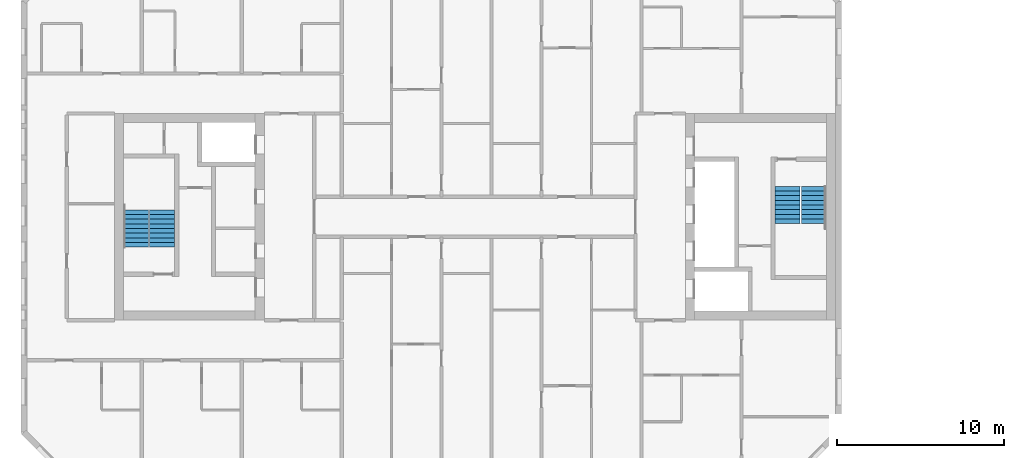
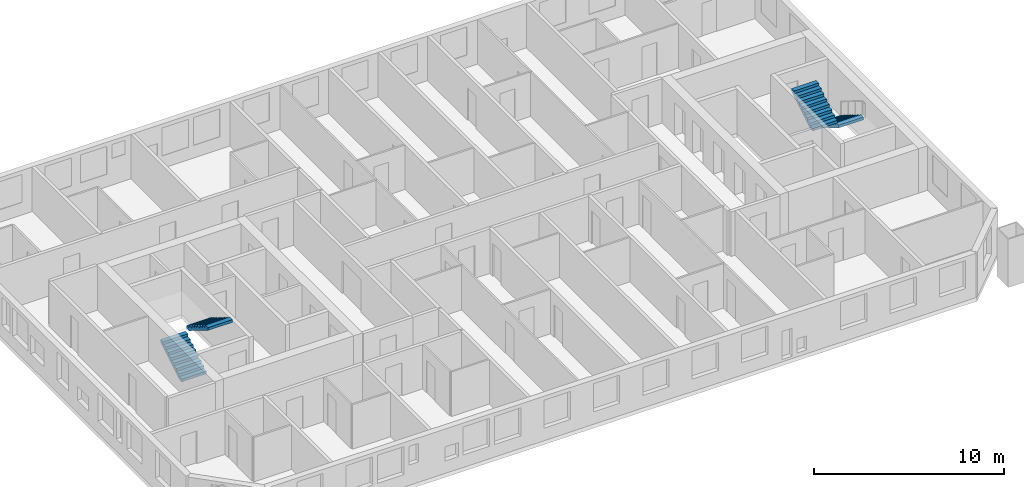
# One storey, part 15 of 16: 4 stair flights, 2 elements without a shape of their own.
"""IFC4 building model written with IfcOpenShell, lengths in metres."""

from ifc_helpers import new_model, si_unit, direction, frame, origin, place, context, subcontext, project, spatial, faceted_brep, material, type_object, element, aggregate, save


model = new_model("IFC4")

# Units and contexts
model_context = context("Model", 3, precision=1e-05, world=origin(), true_north=direction((0.0, 1.0)))
body_context = subcontext(model_context, "Body", "Model", "MODEL_VIEW")
ifc_project = project(units=[si_unit("LENGTHUNIT", "METRE"), si_unit("AREAUNIT", "SQUARE_METRE"), si_unit("VOLUMEUNIT", "CUBIC_METRE"), si_unit("PLANEANGLEUNIT", "RADIAN"), si_unit("MASSUNIT", "GRAM", prefix="KILO")], contexts=[model_context])

# Site, building, storey
site_placement = place(None, origin())
site = spatial("IfcSite", under=ifc_project, at=site_placement, CompositionType="ELEMENT")
building_placement = place(site_placement, origin())
building = spatial("IfcBuilding", under=site, at=building_placement, Name="Tuart Gate Housing", CompositionType="ELEMENT")
storey_placement = place(building_placement, frame((0.0, 0.0, 129.89990234375)))
storey = spatial("IfcBuildingStorey", under=building, at=storey_placement, Name="L36", CompositionType="ELEMENT", Elevation=129.89990234375)

# Stair, stair flights
ifc_material_1 = material(Name="Concrete C40", Category="concrete")
stair_type = type_object("IfcStairType", Name="Core stair 1500", PredefinedType="HALF_TURN_STAIR", material=ifc_material_1)
stair_1_placement = place(storey_placement, origin())
stair_1 = element("IfcStair", 1, at=stair_1_placement, inside=storey, type_object=stair_type, Name="Stair SA1", PredefinedType="HALF_TURN_STAIR")
ifc_material_2 = material(Name="Concrete C40", Category="concrete")
stair_flight_type = type_object("IfcStairFlightType", Name="Stair flight 1500, 9 risers 172 x 280", PredefinedType="STRAIGHT", material=ifc_material_2)
stair_flight_1_placement = place(storey_placement, frame((74.340087890625, 71.824951171875, 0.0), z_axis=(0.0, 0.0, 1.0), x_axis=(0.0, -1.0, 0.0)))
stair_flight_1 = element("IfcStairFlight", 2, at=stair_flight_1_placement, type_object=stair_flight_type, Name="SA1 flight 1", NumberOfRisers=9, NumberOfTreads=8, PredefinedType="STRAIGHT", RiserHeight=0.172222222, TreadLength=0.28, context=body_context, shape_type="Brep", body=[
    faceted_brep([(0.0, 0.75, 0.0), (0.0, 0.75, 0.172119140625), (0.280029296875, 0.75, 0.172119140625), (0.280029296875, 0.75, 0.344482421875), (0.56005859375, 0.75, 0.344482421875), (0.56005859375, 0.75, 0.5166015625), (0.840087890625, 0.75, 0.5166015625), (0.840087890625, 0.75, 0.68896484375), (1.1201171875, 0.75, 0.68896484375), (1.1201171875, 0.75, 0.861083984375), (1.39990234375, 0.75, 0.861083984375), (1.39990234375, 0.75, 1.033447265625), (1.679931640625, 0.75, 1.033447265625), (1.679931640625, 0.75, 1.20556640625), (1.9599609375, 0.75, 1.20556640625), (1.9599609375, 0.75, 1.377685546875), (2.239990234375, 0.75, 1.377685546875), (2.239990234375, 0.75, 1.201904296875), (0.2861328125, 0.75, 0.0), (0.2861328125, -0.75, 0.0), (2.239990234375, -0.75, 1.201904296875), (2.239990234375, -0.75, 1.377685546875), (1.9599609375, -0.75, 1.377685546875), (1.9599609375, -0.75, 1.20556640625), (1.679931640625, -0.75, 1.20556640625), (1.679931640625, -0.75, 1.033447265625), (1.39990234375, -0.75, 1.033447265625), (1.39990234375, -0.75, 0.861083984375), (1.1201171875, -0.75, 0.861083984375), (1.1201171875, -0.75, 0.68896484375), (0.840087890625, -0.75, 0.68896484375), (0.840087890625, -0.75, 0.5166015625), (0.56005859375, -0.75, 0.5166015625), (0.56005859375, -0.75, 0.344482421875), (0.280029296875, -0.75, 0.344482421875), (0.280029296875, -0.75, 0.172119140625), (0.0, -0.75, 0.172119140625), (0.0, -0.75, 0.0), (2.239990234375, 0.0, 1.201904296875), (0.2861328125, 0.0, 0.0), (2.239990234375, 0.0, 1.377685546875), (1.9599609375, 0.0, 1.377685546875), (1.9599609375, 0.0, 1.20556640625), (1.679931640625, 0.0, 1.20556640625), (1.679931640625, 0.0, 1.033447265625), (1.39990234375, 0.0, 1.033447265625), (1.39990234375, 0.0, 0.861083984375), (1.1201171875, 0.0, 0.861083984375), (1.1201171875, 0.0, 0.68896484375), (0.840087890625, 0.0, 0.68896484375), (0.840087890625, 0.0, 0.5166015625), (0.56005859375, 0.0, 0.5166015625), (0.56005859375, 0.0, 0.344482421875), (0.280029296875, 0.0, 0.344482421875), (0.280029296875, 0.0, 0.172119140625), (0.0, 0.0, 0.172119140625), (0.0, 0.0, 0.0)], [[[0, 1, 2, 3, 4, 5, 6, 7, 8, 9, 10, 11, 12, 13, 14, 15, 16, 17, 18]], [[19, 20, 21, 22, 23, 24, 25, 26, 27, 28, 29, 30, 31, 32, 33, 34, 35, 36, 37]], [[18, 17, 38, 39]], [[39, 38, 20, 19]], [[17, 16, 40, 38]], [[38, 40, 21, 20]], [[16, 15, 41, 40]], [[40, 41, 22, 21]], [[15, 14, 42, 41]], [[41, 42, 23, 22]], [[14, 13, 43, 42]], [[42, 43, 24, 23]], [[13, 12, 44, 43]], [[43, 44, 25, 24]], [[12, 11, 45, 44]], [[44, 45, 26, 25]], [[11, 10, 46, 45]], [[45, 46, 27, 26]], [[10, 9, 47, 46]], [[46, 47, 28, 27]], [[9, 8, 48, 47]], [[47, 48, 29, 28]], [[8, 7, 49, 48]], [[48, 49, 30, 29]], [[7, 6, 50, 49]], [[49, 50, 31, 30]], [[6, 5, 51, 50]], [[50, 51, 32, 31]], [[5, 4, 52, 51]], [[51, 52, 33, 32]], [[4, 3, 53, 52]], [[52, 53, 34, 33]], [[3, 2, 54, 53]], [[53, 54, 35, 34]], [[2, 1, 55, 54]], [[54, 55, 36, 35]], [[1, 0, 56, 55]], [[55, 56, 37, 36]], [[0, 18, 39, 56]], [[56, 39, 19, 37]]]),
])
stair_flight_2_placement = place(storey_placement, frame((72.764892578125, 69.5849609375, 1.550048828125), z_axis=(0.0, 0.0, 1.0), x_axis=(0.0, 1.0, 0.0)))
stair_flight_2 = element("IfcStairFlight", 3, at=stair_flight_2_placement, type_object=stair_flight_type, Name="SA1 flight 2", NumberOfRisers=9, NumberOfTreads=8, PredefinedType="STRAIGHT", RiserHeight=0.172222222, TreadLength=0.28, context=body_context, shape_type="Brep", body=[
    faceted_brep([(0.0, 0.75, 0.0), (0.0, 0.75, 0.172119140625), (0.280029296875, 0.75, 0.172119140625), (0.280029296875, 0.75, 0.344482421875), (0.56005859375, 0.75, 0.344482421875), (0.56005859375, 0.75, 0.5166015625), (0.840087890625, 0.75, 0.5166015625), (0.840087890625, 0.75, 0.68896484375), (1.1201171875, 0.75, 0.68896484375), (1.1201171875, 0.75, 0.861083984375), (1.39990234375, 0.75, 0.861083984375), (1.39990234375, 0.75, 1.033447265625), (1.679931640625, 0.75, 1.033447265625), (1.679931640625, 0.75, 1.20556640625), (1.9599609375, 0.75, 1.20556640625), (1.9599609375, 0.75, 1.377685546875), (2.239990234375, 0.75, 1.377685546875), (2.239990234375, 0.75, 1.201904296875), (0.2861328125, 0.75, 0.0), (0.2861328125, -0.75, 0.0), (2.239990234375, -0.75, 1.201904296875), (2.239990234375, -0.75, 1.377685546875), (1.9599609375, -0.75, 1.377685546875), (1.9599609375, -0.75, 1.20556640625), (1.679931640625, -0.75, 1.20556640625), (1.679931640625, -0.75, 1.033447265625), (1.39990234375, -0.75, 1.033447265625), (1.39990234375, -0.75, 0.861083984375), (1.1201171875, -0.75, 0.861083984375), (1.1201171875, -0.75, 0.68896484375), (0.840087890625, -0.75, 0.68896484375), (0.840087890625, -0.75, 0.5166015625), (0.56005859375, -0.75, 0.5166015625), (0.56005859375, -0.75, 0.344482421875), (0.280029296875, -0.75, 0.344482421875), (0.280029296875, -0.75, 0.172119140625), (0.0, -0.75, 0.172119140625), (0.0, -0.75, 0.0), (2.239990234375, 0.0, 1.201904296875), (0.2861328125, 0.0, 0.0), (2.239990234375, 0.0, 1.377685546875), (1.9599609375, 0.0, 1.377685546875), (1.9599609375, 0.0, 1.20556640625), (1.679931640625, 0.0, 1.20556640625), (1.679931640625, 0.0, 1.033447265625), (1.39990234375, 0.0, 1.033447265625), (1.39990234375, 0.0, 0.861083984375), (1.1201171875, 0.0, 0.861083984375), (1.1201171875, 0.0, 0.68896484375), (0.840087890625, 0.0, 0.68896484375), (0.840087890625, 0.0, 0.5166015625), (0.56005859375, 0.0, 0.5166015625), (0.56005859375, 0.0, 0.344482421875), (0.280029296875, 0.0, 0.344482421875), (0.280029296875, 0.0, 0.172119140625), (0.0, 0.0, 0.172119140625), (0.0, 0.0, 0.0)], [[[0, 1, 2, 3, 4, 5, 6, 7, 8, 9, 10, 11, 12, 13, 14, 15, 16, 17, 18]], [[19, 20, 21, 22, 23, 24, 25, 26, 27, 28, 29, 30, 31, 32, 33, 34, 35, 36, 37]], [[18, 17, 38, 39]], [[39, 38, 20, 19]], [[17, 16, 40, 38]], [[38, 40, 21, 20]], [[16, 15, 41, 40]], [[40, 41, 22, 21]], [[15, 14, 42, 41]], [[41, 42, 23, 22]], [[14, 13, 43, 42]], [[42, 43, 24, 23]], [[13, 12, 44, 43]], [[43, 44, 25, 24]], [[12, 11, 45, 44]], [[44, 45, 26, 25]], [[11, 10, 46, 45]], [[45, 46, 27, 26]], [[10, 9, 47, 46]], [[46, 47, 28, 27]], [[9, 8, 48, 47]], [[47, 48, 29, 28]], [[8, 7, 49, 48]], [[48, 49, 30, 29]], [[7, 6, 50, 49]], [[49, 50, 31, 30]], [[6, 5, 51, 50]], [[50, 51, 32, 31]], [[5, 4, 52, 51]], [[51, 52, 33, 32]], [[4, 3, 53, 52]], [[52, 53, 34, 33]], [[3, 2, 54, 53]], [[53, 54, 35, 34]], [[2, 1, 55, 54]], [[54, 55, 36, 35]], [[1, 0, 56, 55]], [[55, 56, 37, 36]], [[0, 18, 39, 56]], [[56, 39, 19, 37]]]),
])
aggregate(stair_1, [stair_flight_1, stair_flight_2])

stair_2_placement = place(storey_placement, origin())
stair_2 = element("IfcStair", 4, at=stair_2_placement, inside=storey, type_object=stair_type, Name="Stair SA2", PredefinedType="HALF_TURN_STAIR")
stair_flight_3_placement = place(storey_placement, frame((33.659912109375, 68.175048828125, 0.0), z_axis=(0.0, 0.0, 1.0), x_axis=(0.0, 1.0, 0.0)))
stair_flight_3 = element("IfcStairFlight", 5, at=stair_flight_3_placement, type_object=stair_flight_type, Name="SA2 flight 1", NumberOfRisers=9, NumberOfTreads=8, PredefinedType="STRAIGHT", RiserHeight=0.172222222, TreadLength=0.28, context=body_context, shape_type="Brep", body=[
    faceted_brep([(0.0, 0.75, 0.0), (0.0, 0.75, 0.172119140625), (0.280029296875, 0.75, 0.172119140625), (0.280029296875, 0.75, 0.344482421875), (0.56005859375, 0.75, 0.344482421875), (0.56005859375, 0.75, 0.5166015625), (0.840087890625, 0.75, 0.5166015625), (0.840087890625, 0.75, 0.68896484375), (1.1201171875, 0.75, 0.68896484375), (1.1201171875, 0.75, 0.861083984375), (1.39990234375, 0.75, 0.861083984375), (1.39990234375, 0.75, 1.033447265625), (1.679931640625, 0.75, 1.033447265625), (1.679931640625, 0.75, 1.20556640625), (1.9599609375, 0.75, 1.20556640625), (1.9599609375, 0.75, 1.377685546875), (2.239990234375, 0.75, 1.377685546875), (2.239990234375, 0.75, 1.201904296875), (0.2861328125, 0.75, 0.0), (0.2861328125, -0.75, 0.0), (2.239990234375, -0.75, 1.201904296875), (2.239990234375, -0.75, 1.377685546875), (1.9599609375, -0.75, 1.377685546875), (1.9599609375, -0.75, 1.20556640625), (1.679931640625, -0.75, 1.20556640625), (1.679931640625, -0.75, 1.033447265625), (1.39990234375, -0.75, 1.033447265625), (1.39990234375, -0.75, 0.861083984375), (1.1201171875, -0.75, 0.861083984375), (1.1201171875, -0.75, 0.68896484375), (0.840087890625, -0.75, 0.68896484375), (0.840087890625, -0.75, 0.5166015625), (0.56005859375, -0.75, 0.5166015625), (0.56005859375, -0.75, 0.344482421875), (0.280029296875, -0.75, 0.344482421875), (0.280029296875, -0.75, 0.172119140625), (0.0, -0.75, 0.172119140625), (0.0, -0.75, 0.0), (2.239990234375, 0.0, 1.201904296875), (0.2861328125, 0.0, 0.0), (2.239990234375, 0.0, 1.377685546875), (1.9599609375, 0.0, 1.377685546875), (1.9599609375, 0.0, 1.20556640625), (1.679931640625, 0.0, 1.20556640625), (1.679931640625, 0.0, 1.033447265625), (1.39990234375, 0.0, 1.033447265625), (1.39990234375, 0.0, 0.861083984375), (1.1201171875, 0.0, 0.861083984375), (1.1201171875, 0.0, 0.68896484375), (0.840087890625, 0.0, 0.68896484375), (0.840087890625, 0.0, 0.5166015625), (0.56005859375, 0.0, 0.5166015625), (0.56005859375, 0.0, 0.344482421875), (0.280029296875, 0.0, 0.344482421875), (0.280029296875, 0.0, 0.172119140625), (0.0, 0.0, 0.172119140625), (0.0, 0.0, 0.0)], [[[0, 1, 2, 3, 4, 5, 6, 7, 8, 9, 10, 11, 12, 13, 14, 15, 16, 17, 18]], [[19, 20, 21, 22, 23, 24, 25, 26, 27, 28, 29, 30, 31, 32, 33, 34, 35, 36, 37]], [[18, 17, 38, 39]], [[39, 38, 20, 19]], [[17, 16, 40, 38]], [[38, 40, 21, 20]], [[16, 15, 41, 40]], [[40, 41, 22, 21]], [[15, 14, 42, 41]], [[41, 42, 23, 22]], [[14, 13, 43, 42]], [[42, 43, 24, 23]], [[13, 12, 44, 43]], [[43, 44, 25, 24]], [[12, 11, 45, 44]], [[44, 45, 26, 25]], [[11, 10, 46, 45]], [[45, 46, 27, 26]], [[10, 9, 47, 46]], [[46, 47, 28, 27]], [[9, 8, 48, 47]], [[47, 48, 29, 28]], [[8, 7, 49, 48]], [[48, 49, 30, 29]], [[7, 6, 50, 49]], [[49, 50, 31, 30]], [[6, 5, 51, 50]], [[50, 51, 32, 31]], [[5, 4, 52, 51]], [[51, 52, 33, 32]], [[4, 3, 53, 52]], [[52, 53, 34, 33]], [[3, 2, 54, 53]], [[53, 54, 35, 34]], [[2, 1, 55, 54]], [[54, 55, 36, 35]], [[1, 0, 56, 55]], [[55, 56, 37, 36]], [[0, 18, 39, 56]], [[56, 39, 19, 37]]]),
])
stair_flight_4_placement = place(storey_placement, frame((35.235107421875, 70.4150390625, 1.550048828125), z_axis=(0.0, 0.0, 1.0), x_axis=(0.0, -1.0, 0.0)))
stair_flight_4 = element("IfcStairFlight", 6, at=stair_flight_4_placement, type_object=stair_flight_type, Name="SA2 flight 2", NumberOfRisers=9, NumberOfTreads=8, PredefinedType="STRAIGHT", RiserHeight=0.172222222, TreadLength=0.28, context=body_context, shape_type="Brep", body=[
    faceted_brep([(0.0, 0.75, 0.0), (0.0, 0.75, 0.172119140625), (0.280029296875, 0.75, 0.172119140625), (0.280029296875, 0.75, 0.344482421875), (0.56005859375, 0.75, 0.344482421875), (0.56005859375, 0.75, 0.5166015625), (0.840087890625, 0.75, 0.5166015625), (0.840087890625, 0.75, 0.68896484375), (1.1201171875, 0.75, 0.68896484375), (1.1201171875, 0.75, 0.861083984375), (1.39990234375, 0.75, 0.861083984375), (1.39990234375, 0.75, 1.033447265625), (1.679931640625, 0.75, 1.033447265625), (1.679931640625, 0.75, 1.20556640625), (1.9599609375, 0.75, 1.20556640625), (1.9599609375, 0.75, 1.377685546875), (2.239990234375, 0.75, 1.377685546875), (2.239990234375, 0.75, 1.201904296875), (0.2861328125, 0.75, 0.0), (0.2861328125, -0.75, 0.0), (2.239990234375, -0.75, 1.201904296875), (2.239990234375, -0.75, 1.377685546875), (1.9599609375, -0.75, 1.377685546875), (1.9599609375, -0.75, 1.20556640625), (1.679931640625, -0.75, 1.20556640625), (1.679931640625, -0.75, 1.033447265625), (1.39990234375, -0.75, 1.033447265625), (1.39990234375, -0.75, 0.861083984375), (1.1201171875, -0.75, 0.861083984375), (1.1201171875, -0.75, 0.68896484375), (0.840087890625, -0.75, 0.68896484375), (0.840087890625, -0.75, 0.5166015625), (0.56005859375, -0.75, 0.5166015625), (0.56005859375, -0.75, 0.344482421875), (0.280029296875, -0.75, 0.344482421875), (0.280029296875, -0.75, 0.172119140625), (0.0, -0.75, 0.172119140625), (0.0, -0.75, 0.0), (2.239990234375, 0.0, 1.201904296875), (0.2861328125, 0.0, 0.0), (2.239990234375, 0.0, 1.377685546875), (1.9599609375, 0.0, 1.377685546875), (1.9599609375, 0.0, 1.20556640625), (1.679931640625, 0.0, 1.20556640625), (1.679931640625, 0.0, 1.033447265625), (1.39990234375, 0.0, 1.033447265625), (1.39990234375, 0.0, 0.861083984375), (1.1201171875, 0.0, 0.861083984375), (1.1201171875, 0.0, 0.68896484375), (0.840087890625, 0.0, 0.68896484375), (0.840087890625, 0.0, 0.5166015625), (0.56005859375, 0.0, 0.5166015625), (0.56005859375, 0.0, 0.344482421875), (0.280029296875, 0.0, 0.344482421875), (0.280029296875, 0.0, 0.172119140625), (0.0, 0.0, 0.172119140625), (0.0, 0.0, 0.0)], [[[0, 1, 2, 3, 4, 5, 6, 7, 8, 9, 10, 11, 12, 13, 14, 15, 16, 17, 18]], [[19, 20, 21, 22, 23, 24, 25, 26, 27, 28, 29, 30, 31, 32, 33, 34, 35, 36, 37]], [[18, 17, 38, 39]], [[39, 38, 20, 19]], [[17, 16, 40, 38]], [[38, 40, 21, 20]], [[16, 15, 41, 40]], [[40, 41, 22, 21]], [[15, 14, 42, 41]], [[41, 42, 23, 22]], [[14, 13, 43, 42]], [[42, 43, 24, 23]], [[13, 12, 44, 43]], [[43, 44, 25, 24]], [[12, 11, 45, 44]], [[44, 45, 26, 25]], [[11, 10, 46, 45]], [[45, 46, 27, 26]], [[10, 9, 47, 46]], [[46, 47, 28, 27]], [[9, 8, 48, 47]], [[47, 48, 29, 28]], [[8, 7, 49, 48]], [[48, 49, 30, 29]], [[7, 6, 50, 49]], [[49, 50, 31, 30]], [[6, 5, 51, 50]], [[50, 51, 32, 31]], [[5, 4, 52, 51]], [[51, 52, 33, 32]], [[4, 3, 53, 52]], [[52, 53, 34, 33]], [[3, 2, 54, 53]], [[53, 54, 35, 34]], [[2, 1, 55, 54]], [[54, 55, 36, 35]], [[1, 0, 56, 55]], [[55, 56, 37, 36]], [[0, 18, 39, 56]], [[56, 39, 19, 37]]]),
])
aggregate(stair_2, [stair_flight_3, stair_flight_4])

save(model, "model.ifc")
